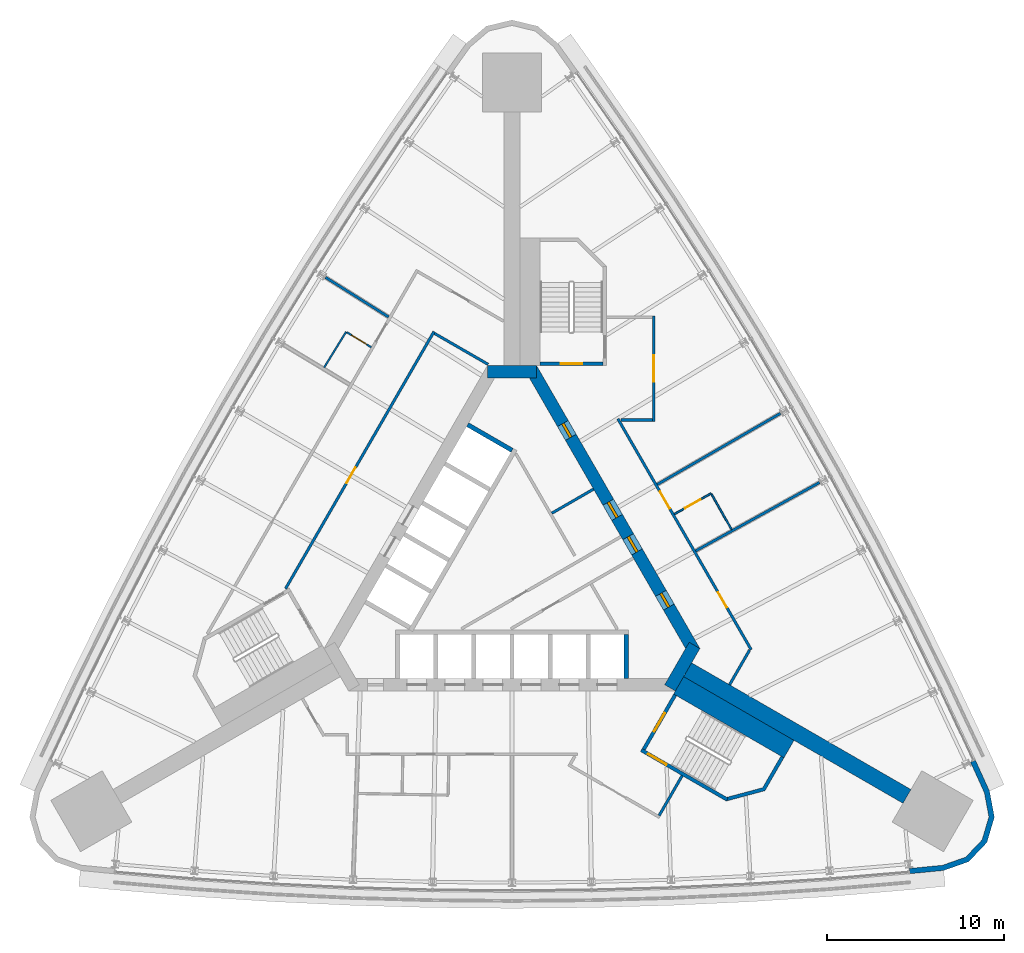
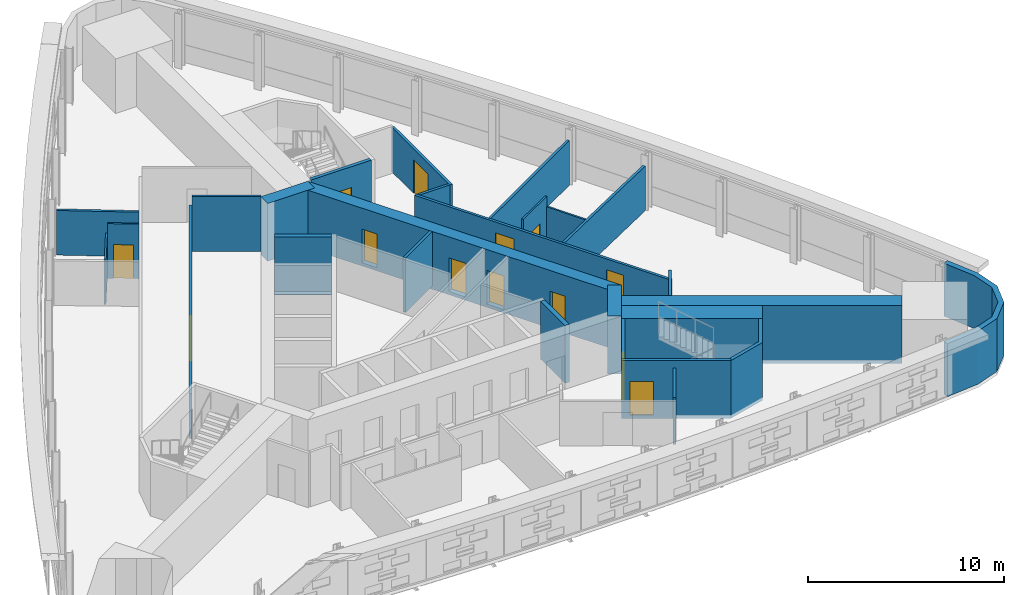
# One storey, part 11 of 14: 27 walls, 13 doors, 13 openings.
"""IFC4 building model written with IfcOpenShell, lengths in metres."""

from ifc_helpers import new_model, si_unit, direction, frame, frame_2d, origin, place, context, subcontext, project, spatial, polyline, rectangle, outline, extrude, material, layer, layer_set, type_object, element, fill, save


model = new_model("IFC4")

# Units and contexts
model_context = context("Model", 3, precision=1e-05, world=origin(), true_north=direction((0.0, 1.0)))
body_context = subcontext(model_context, "Body", "Model", "MODEL_VIEW")
ifc_project = project(units=[si_unit("LENGTHUNIT", "METRE"), si_unit("AREAUNIT", "SQUARE_METRE"), si_unit("VOLUMEUNIT", "CUBIC_METRE"), si_unit("PLANEANGLEUNIT", "RADIAN"), si_unit("MASSUNIT", "GRAM", prefix="KILO")], contexts=[model_context])

# Site, building, storey
site_placement = place(None, origin())
site = spatial("IfcSite", under=ifc_project, at=site_placement, CompositionType="ELEMENT")
building_placement = place(site_placement, origin())
building = spatial("IfcBuilding", under=site, at=building_placement, Name="Noor Cloister Tower", CompositionType="ELEMENT")
storey_placement = place(building_placement, frame((0.0, 0.0, 42.0)))
storey = spatial("IfcBuildingStorey", under=building, at=storey_placement, Name="L10", CompositionType="ELEMENT", Elevation=42.0)

# Walls
ifc_material_1 = material(Name="Concrete C80/95", Category="concrete")
ifc_layer_1 = layer(ifc_material_1, 0.89990234375)
ifc_layer_set_1 = layer_set([ifc_layer_1], Name="Buttress wall 900 C80/95")
wall_type_1 = type_object("IfcWallType", Name="Buttress wall 900 C80/95", PredefinedType="SHEAR", material=ifc_layer_set_1)
wall_1_placement = place(storey_placement, frame((9.921630859375, -5.728271484375, -0.199951171875), z_axis=(0.0, 0.0, 1.0), x_axis=(0.866025331845, -0.500000124603, 0.0)))
element("IfcWall", 1, at=wall_1_placement, inside=storey, type_object=wall_type_1, Name="Buttress wall SE L10", PredefinedType="SHEAR", context=body_context, shape_type="SweptSolid", body=[
    extrude(rectangle(XDim=14.30859375, YDim=0.89990234375, at=frame_2d((7.154296875, 0.0))), origin(), (0.0, 0.0, 1.0), 3.599853515625),
])
ifc_material_2 = material(Name="Concrete C30/37", Category="concrete")
ifc_layer_2 = layer(ifc_material_2, 0.14990234375)
ifc_layer_set_2 = layer_set([ifc_layer_2], Name="Core partition 150 C30/37")
wall_type_2 = type_object("IfcWallType", Name="Core partition 150 C30/37", PredefinedType="PARTITIONING", material=ifc_layer_set_2)
wall_2_placement = place(storey_placement, frame((2.248291015625, 3.1123046875, 0.0), z_axis=(0.0, 0.0, 1.0), x_axis=(0.866012511928, 0.500022328685, 0.0)))
element("IfcWall", 2, at=wall_2_placement, inside=storey, type_object=wall_type_2, Name="Core room partition L10 5", PredefinedType="PARTITIONING", context=body_context, shape_type="SweptSolid", body=[
    extrude(rectangle(XDim=2.72509765625, YDim=0.14990234375, at=frame_2d((1.362548828125, 0.0))), origin(), (0.0, 0.0, 1.0), 3.39990234375),
])
ifc_material_3 = material(Name="Concrete C80/95", Category="concrete")
ifc_layer_3 = layer(ifc_material_3, 0.699951171875)
ifc_layer_set_3 = layer_set([ifc_layer_3], Name="Core wall 700 C80/95")
wall_type_3 = type_object("IfcWallType", Name="Core wall 700 C80/95", PredefinedType="SHEAR", material=ifc_layer_set_3)
wall_3_placement = place(storey_placement, frame((8.925537109375, -6.753173828125, -0.199951171875), z_axis=(0.0, 0.0, 1.0), x_axis=(0.500042739161, 0.866000726912, 0.0)))
element("IfcWall", 3, at=wall_3_placement, inside=storey, type_object=wall_type_3, Name="Core wall L10 2", PredefinedType="SHEAR", context=body_context, shape_type="SweptSolid", body=[
    extrude(rectangle(XDim=2.771240234375, YDim=0.699951171875, at=frame_2d((1.3857421875, 0.0))), origin(), (0.0, 0.0, 1.0), 3.599853515625),
])

# Wall, openings, doors
wall_4_placement = place(storey_placement, frame((10.311279296875, -4.703125, -0.199951171875), z_axis=(0.0, 0.0, 1.0), x_axis=(-0.500001446645, 0.866024568562, 0.0)))
wall_4 = element("IfcWall", 4, at=wall_4_placement, inside=storey, type_object=wall_type_3, Name="Core wall L10 3", PredefinedType="SHEAR", context=body_context, shape_type="SweptSolid", body=[
    extrude(rectangle(XDim=18.45751953125, YDim=0.699951171875, at=frame_2d((9.228759765625, 0.0))), origin(), (0.0, 0.0, 1.0), 3.599853515625),
])
opening_1_placement = place(wall_4_placement, frame((6.5, 0.0, 0.199951171875)))
opening_1 = element("IfcOpeningElement", 5, at=opening_1_placement, cuts=wall_4, Name="Opening L10-901", PredefinedType="OPENING", context=body_context, shape_type="SweptSolid", body=[
    extrude(rectangle(XDim=1.0, YDim=2.10009765625, at=frame_2d((0.5, 1.050048828125))), frame((0.0, 0.35986328125, 0.0), z_axis=(0.0, -1.0, 0.0), x_axis=(1.0, 0.0, 0.0)), (0.0, 0.0, 1.0), 0.719970703125),
])
opening_2_placement = place(wall_4_placement, frame((2.902099609375, 0.0, 0.199951171875)))
opening_2 = element("IfcOpeningElement", 6, at=opening_2_placement, cuts=wall_4, Name="Opening L10-902", PredefinedType="OPENING", context=body_context, shape_type="SweptSolid", body=[
    extrude(rectangle(XDim=0.89990234375, YDim=2.10009765625, at=frame_2d((0.449951171875, 1.050048828125))), frame((0.0, 0.35986328125, 0.0), z_axis=(0.0, -1.0, 0.0), x_axis=(1.0, 0.0, 0.0)), (0.0, 0.0, 1.0), 0.719970703125),
])
opening_3_placement = place(wall_4_placement, frame((8.75, 0.0, 0.199951171875)))
opening_3 = element("IfcOpeningElement", 7, at=opening_3_placement, cuts=wall_4, Name="Opening L10-903", PredefinedType="OPENING", context=body_context, shape_type="SweptSolid", body=[
    extrude(rectangle(XDim=1.0, YDim=2.10009765625, at=frame_2d((0.5, 1.050048828125))), frame((0.0, 0.35986328125, 0.0), z_axis=(0.0, -1.0, 0.0), x_axis=(1.0, 0.0, 0.0)), (0.0, 0.0, 1.0), 0.719970703125),
])
opening_4_placement = place(wall_4_placement, frame((13.976806640625, 0.0, 0.199951171875)))
opening_4 = element("IfcOpeningElement", 8, at=opening_4_placement, cuts=wall_4, Name="Opening L10-904", PredefinedType="OPENING", context=body_context, shape_type="SweptSolid", body=[
    extrude(rectangle(XDim=0.89990234375, YDim=2.10009765625, at=frame_2d((0.449951171875, 1.050048828125))), frame((0.0, 0.35986328125, 0.0), z_axis=(0.0, -1.0, 0.0), x_axis=(1.0, 0.0, 0.0)), (0.0, 0.0, 1.0), 0.719970703125),
])
ifc_material_4 = material(Name="Steel", Category="steel")
door_type_1 = type_object("IfcDoorType", Name="Core door 1000 x 2100 FD120", OperationType="SINGLE_SWING_LEFT", PredefinedType="DOOR", material=ifc_material_4)
door_1_placement = place(opening_1_placement, origin())
door_1 = element("IfcDoor", 9, at=door_1_placement, inside=storey, type_object=door_type_1, Name="Core door 1 L10", OperationType="SINGLE_SWING_LEFT", OverallHeight=2.10009765625, OverallWidth=1.0, PredefinedType="DOOR", context=body_context, shape_type="SweptSolid", body=[
    extrude(rectangle(XDim=1.0, YDim=2.10009765625, at=frame_2d((0.5, 1.050048828125))), frame((0.0, 0.074951171875, 0.0), z_axis=(0.0, -1.0, 0.0), x_axis=(1.0, 0.0, 0.0)), (0.0, 0.0, 1.0), 0.14990234375),
])
fill(opening_1, door_1)
ifc_material_5 = material(Name="Steel", Category="steel")
door_type_2 = type_object("IfcDoorType", Name="Core door 1000 x 2100 FD60", OperationType="SINGLE_SWING_LEFT", PredefinedType="DOOR", material=ifc_material_5)
door_2_placement = place(opening_3_placement, origin())
door_2 = element("IfcDoor", 10, at=door_2_placement, inside=storey, type_object=door_type_2, Name="Core door 3 L10", OperationType="SINGLE_SWING_LEFT", OverallHeight=2.10009765625, OverallWidth=1.0, PredefinedType="DOOR", context=body_context, shape_type="SweptSolid", body=[
    extrude(rectangle(XDim=1.0, YDim=2.10009765625, at=frame_2d((0.5, 1.050048828125))), frame((0.0, 0.074951171875, 0.0), z_axis=(0.0, -1.0, 0.0), x_axis=(1.0, 0.0, 0.0)), (0.0, 0.0, 1.0), 0.14990234375),
])
fill(opening_3, door_2)
ifc_material_6 = material(Name="Steel", Category="steel")
door_type_3 = type_object("IfcDoorType", Name="Core door 900 x 2100 FD60", OperationType="SINGLE_SWING_LEFT", PredefinedType="DOOR", material=ifc_material_6)
door_3_placement = place(opening_2_placement, origin())
door_3 = element("IfcDoor", 11, at=door_3_placement, inside=storey, type_object=door_type_3, Name="Core door 2 L10", OperationType="SINGLE_SWING_RIGHT", OverallHeight=2.10009765625, OverallWidth=0.89990234375, PredefinedType="DOOR", context=body_context, shape_type="SweptSolid", body=[
    extrude(rectangle(XDim=0.89990234375, YDim=2.10009765625, at=frame_2d((0.449951171875, 1.050048828125))), frame((0.0, 0.074951171875, 0.0), z_axis=(0.0, -1.0, 0.0), x_axis=(1.0, 0.0, 0.0)), (0.0, 0.0, 1.0), 0.14990234375),
])
fill(opening_2, door_3)
door_4_placement = place(opening_4_placement, origin())
door_4 = element("IfcDoor", 12, at=door_4_placement, inside=storey, type_object=door_type_3, Name="Core door 4 L10", OperationType="SINGLE_SWING_RIGHT", OverallHeight=2.10009765625, OverallWidth=0.89990234375, PredefinedType="DOOR", context=body_context, shape_type="SweptSolid", body=[
    extrude(rectangle(XDim=0.89990234375, YDim=2.10009765625, at=frame_2d((0.449951171875, 1.050048828125))), frame((0.0, 0.074951171875, 0.0), z_axis=(0.0, -1.0, 0.0), x_axis=(1.0, 0.0, 0.0)), (0.0, 0.0, 1.0), 0.14990234375),
])
fill(opening_4, door_4)

# Wall
wall_5_placement = place(storey_placement, frame((1.3857421875, 11.1064453125, -0.199951171875), z_axis=(0.0, 0.0, 1.0), x_axis=(-1.0, 0.0, 0.0)))
element("IfcWall", 13, at=wall_5_placement, inside=storey, type_object=wall_type_3, Name="Core wall L10 4", PredefinedType="SHEAR", context=body_context, shape_type="SweptSolid", body=[
    extrude(rectangle(XDim=2.771484375, YDim=0.699951171875, at=frame_2d((1.3857421875, 0.0))), origin(), (0.0, 0.0, 1.0), 3.599853515625),
])

# Wall, opening, door
ifc_material_7 = material(Name="Fire-rated gypsum board partition on steel studs, 150 mm", Category="steel")
ifc_layer_4 = layer(ifc_material_7, 0.14990234375)
ifc_layer_set_4 = layer_set([ifc_layer_4], Name="Fire lobby wall 150")
wall_type_4 = type_object("IfcWallType", Name="Fire lobby wall 150", PredefinedType="PARTITIONING", material=ifc_layer_set_4)
wall_6_placement = place(storey_placement, frame((-4.40673828125, 13.373779296875, 0.0), z_axis=(0.0, 0.0, 1.0), x_axis=(-0.499997181693, -0.866027030928, 0.0)))
wall_6 = element("IfcWall", 14, at=wall_6_placement, inside=storey, type_object=wall_type_4, Name="Fire lobby wall 150 L10 002", PredefinedType="PARTITIONING", context=body_context, shape_type="SweptSolid", body=[
    extrude(rectangle(XDim=16.76953125, YDim=0.14990234375, at=frame_2d((8.384765625, 0.0))), origin(), (0.0, 0.0, 1.0), 2.778076171875),
])
opening_5_placement = place(wall_6_placement, frame((8.878662109375, 0.0, 0.0)))
opening_5 = element("IfcOpeningElement", 15, at=opening_5_placement, cuts=wall_6, Name="Opening L10-003", PredefinedType="OPENING", context=body_context, shape_type="SweptSolid", body=[
    extrude(rectangle(XDim=1.0, YDim=2.10009765625, at=frame_2d((0.5, 1.050048828125))), frame((0.0, 0.0849609375, 0.0), z_axis=(0.0, -1.0, 0.0), x_axis=(1.0, 0.0, 0.0)), (0.0, 0.0, 1.0), 0.169921875),
])
ifc_material_8 = material(Name="Timber door leaf with steel frame", Category="steel")
door_type_4 = type_object("IfcDoorType", Name="Fire lobby door 1000", OperationType="NOTDEFINED", PredefinedType="DOOR", material=ifc_material_8)
door_5_placement = place(opening_5_placement, origin())
door_5 = element("IfcDoor", 16, at=door_5_placement, inside=storey, type_object=door_type_4, Name="Fire lobby door 1000 L10-003", OperationType="SINGLE_SWING_RIGHT", OverallHeight=2.10009765625, OverallWidth=1.0, PredefinedType="DOOR", context=body_context, shape_type="SweptSolid", body=[
    extrude(rectangle(XDim=1.0, YDim=2.10009765625, at=frame_2d((0.5, 1.050048828125))), frame((0.0, 0.02490234375, 0.0), z_axis=(0.0, -1.0, 0.0), x_axis=(1.0, 0.0, 0.0)), (0.0, 0.0, 1.0), 0.050048828125),
])
fill(opening_5, door_5)

# Wall
wall_7_placement = place(storey_placement, frame((-4.379150390625, 13.271484375, 0.0), z_axis=(0.0, 0.0, 1.0), x_axis=(0.866019471182, -0.500010275428, 0.0)))
element("IfcWall", 17, at=wall_7_placement, inside=storey, type_object=wall_type_4, Name="Fire lobby wall 150 L10 008", PredefinedType="PARTITIONING", context=body_context, shape_type="SweptSolid", body=[
    extrude(rectangle(XDim=3.5, YDim=0.14990234375, at=frame_2d((1.75, 0.0))), origin(), (0.0, 0.0, 1.0), 3.39990234375),
])

# Wall, openings, doors
ifc_material_9 = material(Name="Gypsum board partition on steel studs, 150 mm", Category="steel")
ifc_layer_5 = layer(ifc_material_9, 0.14990234375)
ifc_layer_set_5 = layer_set([ifc_layer_5], Name="Flat wall 150")
wall_type_5 = type_object("IfcWallType", Name="Flat wall 150", PredefinedType="PARTITIONING", material=ifc_layer_set_5)
wall_8_placement = place(storey_placement, frame((5.9814453125, 8.4462890625, 0.0), z_axis=(0.0, 0.0, 1.0), x_axis=(0.499996620721, -0.866027354803, 0.0)))
wall_8 = element("IfcWall", 18, at=wall_8_placement, inside=storey, type_object=wall_type_5, Name="Flat wall 150 L10 003", PredefinedType="PARTITIONING", context=body_context, shape_type="SweptSolid", body=[
    extrude(rectangle(XDim=15.056640625, YDim=0.14990234375, at=frame_2d((7.5283203125, 0.0))), origin(), (0.0, 0.0, 1.0), 2.778076171875),
])
opening_6_placement = place(wall_8_placement, frame((11.311279296875, 0.0, 0.0)))
opening_6 = element("IfcOpeningElement", 19, at=opening_6_placement, cuts=wall_8, Name="Opening L10-004", PredefinedType="OPENING", context=body_context, shape_type="SweptSolid", body=[
    extrude(rectangle(XDim=1.0, YDim=2.10009765625, at=frame_2d((0.5, 1.050048828125))), frame((0.0, 0.0849609375, 0.0), z_axis=(0.0, -1.0, 0.0), x_axis=(1.0, 0.0, 0.0)), (0.0, 0.0, 1.0), 0.169921875),
])
opening_7_placement = place(wall_8_placement, frame((4.75390625, 0.0, 0.0)))
opening_7 = element("IfcOpeningElement", 20, at=opening_7_placement, cuts=wall_8, Name="Opening L10-005", PredefinedType="OPENING", context=body_context, shape_type="SweptSolid", body=[
    extrude(rectangle(XDim=1.10009765625, YDim=2.10009765625, at=frame_2d((0.550048828125, 1.050048828125))), frame((0.0, 0.0849609375, 0.0), z_axis=(0.0, -1.0, 0.0), x_axis=(1.0, 0.0, 0.0)), (0.0, 0.0, 1.0), 0.169921875),
])
ifc_material_10 = material(Name="Timber door leaf with steel frame", Category="steel")
door_type_5 = type_object("IfcDoorType", Name="Interior door 1000 FD60", OperationType="NOTDEFINED", PredefinedType="DOOR", material=ifc_material_10)
door_6_placement = place(opening_6_placement, origin())
door_6 = element("IfcDoor", 21, at=door_6_placement, inside=storey, type_object=door_type_5, Name="Interior door 1000 L10-004", OperationType="SINGLE_SWING_RIGHT", OverallHeight=2.10009765625, OverallWidth=1.0, PredefinedType="DOOR", context=body_context, shape_type="SweptSolid", body=[
    extrude(rectangle(XDim=1.0, YDim=2.10009765625, at=frame_2d((0.5, 1.050048828125))), frame((0.0, 0.02490234375, 0.0), z_axis=(0.0, -1.0, 0.0), x_axis=(1.0, 0.0, 0.0)), (0.0, 0.0, 1.0), 0.050048828125),
])
fill(opening_6, door_6)
ifc_material_11 = material(Name="Timber door leaf with steel frame", Category="steel")
door_type_6 = type_object("IfcDoorType", Name="Resident room door 1100", OperationType="NOTDEFINED", PredefinedType="DOOR", material=ifc_material_11)
door_7_placement = place(opening_7_placement, origin())
door_7 = element("IfcDoor", 22, at=door_7_placement, inside=storey, type_object=door_type_6, Name="Resident room door 1100 L10-005", OperationType="SINGLE_SWING_LEFT", OverallHeight=2.10009765625, OverallWidth=1.10009765625, PredefinedType="DOOR", context=body_context, shape_type="SweptSolid", body=[
    extrude(rectangle(XDim=1.10009765625, YDim=2.10009765625, at=frame_2d((0.550048828125, 1.050048828125))), frame((0.0, 0.02490234375, 0.0), z_axis=(0.0, -1.0, 0.0), x_axis=(1.0, 0.0, 0.0)), (0.0, 0.0, 1.0), 0.050048828125),
])
fill(opening_7, door_7)

# Wall, opening, door
wall_9_placement = place(storey_placement, frame((8.010498046875, 14.25634765625, 0.0), z_axis=(0.0, 0.0, 1.0), x_axis=(0.0, -1.0, 0.0)))
wall_9 = element("IfcWall", 23, at=wall_9_placement, inside=storey, type_object=wall_type_5, Name="Flat wall 150 L10 005", PredefinedType="PARTITIONING", context=body_context, shape_type="SweptSolid", body=[
    extrude(rectangle(XDim=5.949951171875, YDim=0.14990234375, at=frame_2d((2.97509765625, 0.0))), origin(), (0.0, 0.0, 1.0), 2.778076171875),
])
opening_8_placement = place(wall_9_placement, frame((2.22509765625, 0.0, 0.0)))
opening_8 = element("IfcOpeningElement", 24, at=opening_8_placement, cuts=wall_9, Name="Opening L10-009", PredefinedType="OPENING", context=body_context, shape_type="SweptSolid", body=[
    extrude(rectangle(XDim=1.5, YDim=2.10009765625, at=frame_2d((0.75, 1.050048828125))), frame((0.0, 0.0849609375, 0.0), z_axis=(0.0, -1.0, 0.0), x_axis=(1.0, 0.0, 0.0)), (0.0, 0.0, 1.0), 0.169921875),
])
ifc_material_12 = material(Name="Timber door leaf with steel frame", Category="steel")
door_type_7 = type_object("IfcDoorType", Name="Double door 1500 FD60", OperationType="NOTDEFINED", PredefinedType="DOOR", material=ifc_material_12)
door_8_placement = place(opening_8_placement, origin())
door_8 = element("IfcDoor", 25, at=door_8_placement, inside=storey, type_object=door_type_7, Name="Double door 1500 L10-009", OperationType="DOUBLE_DOOR_SINGLE_SWING", OverallHeight=2.10009765625, OverallWidth=1.5, PredefinedType="DOOR", context=body_context, shape_type="SweptSolid", body=[
    extrude(rectangle(XDim=1.5, YDim=2.10009765625, at=frame_2d((0.75, 1.050048828125))), frame((0.0, 0.02490234375, 0.0), z_axis=(0.0, -1.0, 0.0), x_axis=(1.0, 0.0, 0.0)), (0.0, 0.0, 1.0), 0.050048828125),
])
fill(opening_8, door_8)

# Walls
wall_10_placement = place(storey_placement, frame((8.313720703125, -13.963134765625, 0.0), z_axis=(0.0, 0.0, 1.0), x_axis=(0.499936506574, 0.866062058628, 0.0)))
element("IfcWall", 26, at=wall_10_placement, inside=storey, type_object=wall_type_5, Name="Flat wall 150 L10 010", PredefinedType="PARTITIONING", context=body_context, shape_type="SweptSolid", body=[
    extrude(rectangle(XDim=2.599853515625, YDim=0.14990234375, at=frame_2d((1.2998046875, 0.0))), origin(), (0.0, 0.0, 1.0), 2.923095703125),
])
wall_11_placement = place(storey_placement, frame((12.2900390625, -6.575927734375, 0.0), z_axis=(0.0, 0.0, 1.0), x_axis=(0.499946688677, 0.866056180903, 0.0)))
element("IfcWall", 27, at=wall_11_placement, inside=storey, type_object=wall_type_5, Name="Flat wall 150 L10 012", PredefinedType="PARTITIONING", context=body_context, shape_type="SweptSolid", body=[
    extrude(rectangle(XDim=2.261962890625, YDim=0.14990234375, at=frame_2d((1.130859375, 0.0))), origin(), (0.0, 0.0, 1.0), 3.39990234375),
])
wall_12_placement = place(storey_placement, frame((6.148681640625, 8.38134765625, 0.0), z_axis=(0.0, 0.0, 1.0), x_axis=(1.0, 0.0, 0.0)))
element("IfcWall", 28, at=wall_12_placement, inside=storey, type_object=wall_type_5, Name="Flat wall 150 L10 013", PredefinedType="PARTITIONING", context=body_context, shape_type="SweptSolid", body=[
    extrude(rectangle(XDim=1.786865234375, YDim=0.14990234375, at=frame_2d((0.8935546875, 0.0))), origin(), (0.0, 0.0, 1.0), 2.778076171875),
])
wall_13_placement = place(storey_placement, frame((15.161376953125, 8.75341796875, 0.0), z_axis=(0.0, 0.0, 1.0), x_axis=(-0.86601695431, -0.500014634633, 0.0)))
element("IfcWall", 29, at=wall_13_placement, inside=storey, type_object=wall_type_5, Name="Flat wall 150 L10 017", PredefinedType="PARTITIONING", context=body_context, shape_type="SweptSolid", body=[
    extrude(rectangle(XDim=8.028564453125, YDim=0.14990234375, at=frame_2d((4.01416015625, 0.0))), origin(), (0.0, 0.0, 1.0), 2.778076171875),
])
wall_14_placement = place(storey_placement, frame((17.3671875, 4.848388671875, 0.0), z_axis=(0.0, 0.0, 1.0), x_axis=(-0.875233702412, -0.483700285469, 0.0)))
element("IfcWall", 30, at=wall_14_placement, inside=storey, type_object=wall_type_5, Name="Flat wall 150 L10 018", PredefinedType="PARTITIONING", context=body_context, shape_type="SweptSolid", body=[
    extrude(rectangle(XDim=7.986328125, YDim=0.14990234375, at=frame_2d((3.9931640625, 0.0))), origin(), (0.0, 0.0, 1.0), 2.778076171875),
])
wall_15_placement = place(storey_placement, frame((-10.531982421875, 16.435791015625, 0.0), z_axis=(0.0, 0.0, 1.0), x_axis=(0.846689538327, -0.532087235036, 0.0)))
element("IfcWall", 31, at=wall_15_placement, inside=storey, type_object=wall_type_5, Name="Flat wall 150 L10 022", PredefinedType="PARTITIONING", context=body_context, shape_type="SweptSolid", body=[
    extrude(rectangle(XDim=4.210693359375, YDim=0.14990234375, at=frame_2d((2.10546875, 0.0))), origin(), (0.0, 0.0, 1.0), 2.778076171875),
])
ifc_material_13 = material(Name="Limestone", Category="masonry")
ifc_layer_6 = layer(ifc_material_13, 0.300048828125)
ifc_layer_set_6 = layer_set([ifc_layer_6], Name="Limestone cladding 300")
wall_type_6 = type_object("IfcWallType", Name="Limestone cladding 300", PredefinedType="NOTDEFINED", material=ifc_layer_set_6)
wall_16_placement = place(storey_placement, origin())
element("IfcWall", 32, at=wall_16_placement, inside=storey, type_object=wall_type_6, Name="Limestone pier cladding L10 2.1", PredefinedType="NOTDEFINED", context=body_context, shape_type="SweptSolid", body=[
    extrude(outline(polyline([(22.467041015625, -17.254150390625), (24.386474609375, -17.066162109375), (25.7958984375, -16.570556640625), (26.825439453125, -15.487548828125), (27.24853515625, -14.0546875), (26.972900390625, -12.586181640625), (26.176025390625, -10.830078125), (25.90283203125, -10.9541015625), (26.684814453125, -12.67724609375), (26.9404296875, -14.0390625), (26.55810546875, -15.333251953125), (25.62841796875, -16.3115234375), (24.321044921875, -16.77099609375), (22.43798828125, -16.95556640625), (22.467041015625, -17.254150390625)])), origin(), (0.0, 0.0, 1.0), 3.300048828125),
])

# Wall, opening, door
ifc_material_14 = material(Name="Gypsum board partition on steel studs, 100 mm", Category="steel")
ifc_layer_7 = layer(ifc_material_14, 0.10009765625)
ifc_layer_set_7 = layer_set([ifc_layer_7], Name="Partition 100")
wall_type_7 = type_object("IfcWallType", Name="Partition 100", PredefinedType="PARTITIONING", material=ifc_layer_set_7)
wall_17_placement = place(storey_placement, frame((11.250244140625, 4.2353515625, 0.0), z_axis=(0.0, 0.0, 1.0), x_axis=(-0.870673532045, -0.491861363188, 0.0)))
wall_17 = element("IfcWall", 33, at=wall_17_placement, inside=storey, type_object=wall_type_7, Name="Partition 100 L10 024", PredefinedType="PARTITIONING", context=body_context, shape_type="SweptSolid", body=[
    extrude(rectangle(XDim=2.382080078125, YDim=0.10009765625, at=frame_2d((1.19091796875, 0.0))), origin(), (0.0, 0.0, 1.0), 3.39990234375),
])
opening_9_placement = place(wall_17_placement, frame((0.699951171875, 0.0, 0.0)))
opening_9 = element("IfcOpeningElement", 34, at=opening_9_placement, cuts=wall_17, Name="Opening L10-013", PredefinedType="OPENING", context=body_context, shape_type="SweptSolid", body=[
    extrude(rectangle(XDim=1.0, YDim=2.10009765625, at=frame_2d((0.5, 1.050048828125))), frame((0.0, 0.06005859375, 0.0), z_axis=(0.0, -1.0, 0.0), x_axis=(1.0, 0.0, 0.0)), (0.0, 0.0, 1.0), 0.1201171875),
])
ifc_material_15 = material(Name="Timber door leaf with steel frame", Category="steel")
door_type_8 = type_object("IfcDoorType", Name="Interior door 1000", OperationType="NOTDEFINED", PredefinedType="DOOR", material=ifc_material_15)
door_9_placement = place(opening_9_placement, origin())
door_9 = element("IfcDoor", 35, at=door_9_placement, inside=storey, type_object=door_type_8, Name="Interior door 1000 L10-013", OperationType="SINGLE_SWING_RIGHT", OverallHeight=2.10009765625, OverallWidth=1.0, PredefinedType="DOOR", context=body_context, shape_type="SweptSolid", body=[
    extrude(rectangle(XDim=1.0, YDim=2.10009765625, at=frame_2d((0.5, 1.050048828125))), frame((0.0, 0.02490234375, 0.0), z_axis=(0.0, -1.0, 0.0), x_axis=(1.0, 0.0, 0.0)), (0.0, 0.0, 1.0), 0.050048828125),
])
fill(opening_9, door_9)

# Walls
wall_18_placement = place(storey_placement, frame((-10.615966796875, 11.338623046875, 0.0), z_axis=(0.0, 0.0, 1.0), x_axis=(0.524137571403, 0.85163361033, 0.0)))
element("IfcWall", 36, at=wall_18_placement, inside=storey, type_object=wall_type_7, Name="Partition 100 L10 025", PredefinedType="PARTITIONING", context=body_context, shape_type="SweptSolid", body=[
    extrude(rectangle(XDim=2.375, YDim=0.10009765625, at=frame_2d((1.1875, 0.0))), origin(), (0.0, 0.0, 1.0), 2.778076171875),
])
wall_19_placement = place(storey_placement, frame((12.404541015625, 2.192138671875, 0.0), z_axis=(0.0, 0.0, 1.0), x_axis=(-0.491840077016, 0.870685556697, 0.0)))
element("IfcWall", 37, at=wall_19_placement, inside=storey, type_object=wall_type_7, Name="Partition 100 L10 026", PredefinedType="PARTITIONING", context=body_context, shape_type="SweptSolid", body=[
    extrude(rectangle(XDim=2.296875, YDim=0.10009765625, at=frame_2d((1.1484375, 0.0))), origin(), (0.0, 0.0, 1.0), 2.778076171875),
])

# Wall, opening, door
wall_20_placement = place(storey_placement, frame((-7.951171875, 12.487548828125, 0.0), z_axis=(0.0, 0.0, 1.0), x_axis=(-0.851658316705, 0.524097425664, 0.0)))
wall_20 = element("IfcWall", 38, at=wall_20_placement, inside=storey, type_object=wall_type_7, Name="Partition 100 L10 029", PredefinedType="PARTITIONING", context=body_context, shape_type="SweptSolid", body=[
    extrude(rectangle(XDim=1.617431640625, YDim=0.10009765625, at=frame_2d((0.80859375, 0.0))), origin(), (0.0, 0.0, 1.0), 3.39990234375),
])
opening_10_placement = place(wall_20_placement, frame((0.2998046875, 0.0, 0.0)))
opening_10 = element("IfcOpeningElement", 39, at=opening_10_placement, cuts=wall_20, Name="Opening L10-014", PredefinedType="OPENING", context=body_context, shape_type="SweptSolid", body=[
    extrude(rectangle(XDim=1.0, YDim=2.10009765625, at=frame_2d((0.5, 1.050048828125))), frame((0.0, 0.06005859375, 0.0), z_axis=(0.0, -1.0, 0.0), x_axis=(1.0, 0.0, 0.0)), (0.0, 0.0, 1.0), 0.1201171875),
])
door_10_placement = place(opening_10_placement, origin())
door_10 = element("IfcDoor", 40, at=door_10_placement, inside=storey, type_object=door_type_8, Name="Interior door 1000 L10-014", OperationType="SINGLE_SWING_LEFT", OverallHeight=2.10009765625, OverallWidth=1.0, PredefinedType="DOOR", context=body_context, shape_type="SweptSolid", body=[
    extrude(rectangle(XDim=1.0, YDim=2.10009765625, at=frame_2d((0.5, 1.050048828125))), frame((0.0, 0.02490234375, 0.0), z_axis=(0.0, -1.0, 0.0), x_axis=(1.0, 0.0, 0.0)), (0.0, 0.0, 1.0), 0.050048828125),
])
fill(opening_10, door_10)

# Walls
ifc_material_16 = material(Name="Concrete C80/95", Category="concrete")
ifc_layer_8 = layer(ifc_material_16, 0.25)
ifc_layer_set_8 = layer_set([ifc_layer_8], Name="Shaft wall 250 C80/95")
wall_type_8 = type_object("IfcWallType", Name="Shaft wall 250 C80/95", PredefinedType="PARTITIONING", material=ifc_layer_set_8)
wall_21_placement = place(storey_placement, frame((6.449951171875, -6.228271484375, -0.199951171875), z_axis=(0.0, 0.0, 1.0), x_axis=(0.0, 1.0, 0.0)))
element("IfcWall", 41, at=wall_21_placement, inside=storey, type_object=wall_type_8, Name="Lift shaft wall L10 S 7", PredefinedType="PARTITIONING", context=body_context, shape_type="SweptSolid", body=[
    extrude(rectangle(XDim=2.5, YDim=0.25, at=frame_2d((1.25, 0.0))), origin(), (0.0, 0.0, 1.0), 3.599853515625),
])
wall_22_placement = place(storey_placement, frame((-2.50634765625, 8.115478515625, -0.199951171875), z_axis=(0.0, 0.0, 1.0), x_axis=(0.865996321171, -0.50005036918, 0.0)))
element("IfcWall", 42, at=wall_22_placement, inside=storey, type_object=wall_type_8, Name="Lift shaft wall L10 NW 1", PredefinedType="PARTITIONING", context=body_context, shape_type="SweptSolid", body=[
    extrude(rectangle(XDim=2.900146484375, YDim=0.25, at=frame_2d((1.4501953125, 0.0))), origin(), (0.0, 0.0, 1.0), 3.599853515625),
])
ifc_material_17 = material(Name="Concrete C80/95", Category="concrete")
ifc_layer_9 = layer(ifc_material_17, 1.135986328125)
ifc_layer_set_9 = layer_set([ifc_layer_9], Name="Stair enclosure wall 1136 C80/95")
wall_type_9 = type_object("IfcWallType", Name="Stair enclosure wall 1136 C80/95", PredefinedType="SHEAR", material=ifc_layer_set_9)
wall_23_placement = place(storey_placement, frame((9.41259765625, -6.609619140625, -0.199951171875), z_axis=(0.0, 0.0, 1.0), x_axis=(0.866018442252, -0.500012057535, 0.0)))
element("IfcWall", 43, at=wall_23_placement, inside=storey, type_object=wall_type_9, Name="Stair enclosure wall ST3 L10 riser side", PredefinedType="SHEAR", context=body_context, shape_type="SweptSolid", body=[
    extrude(rectangle(XDim=7.199951171875, YDim=1.1357421875, at=frame_2d((3.60009765625, 0.0))), origin(), (0.0, 0.0, 1.0), 3.599853515625),
])

# Wall, opening, door
ifc_material_18 = material(Name="Concrete C80/95", Category="concrete")
ifc_layer_10 = layer(ifc_material_18, 0.199951171875)
ifc_layer_set_10 = layer_set([ifc_layer_10], Name="Stair enclosure wall 200 C80/95")
wall_type_10 = type_object("IfcWallType", Name="Stair enclosure wall 200 C80/95", PredefinedType="SHEAR", material=ifc_layer_set_10)
wall_24_placement = place(storey_placement, frame((5.135498046875, 11.556396484375, -0.199951171875), z_axis=(0.0, 0.0, 1.0), x_axis=(-1.0, 0.0, 0.0)))
wall_24 = element("IfcWall", 44, at=wall_24_placement, inside=storey, type_object=wall_type_10, Name="Stair enclosure wall ST1 L10 near end", PredefinedType="SHEAR", context=body_context, shape_type="SweptSolid", body=[
    extrude(rectangle(XDim=3.5498046875, YDim=0.199951171875, at=frame_2d((1.77490234375, 0.0))), origin(), (0.0, 0.0, 1.0), 3.599853515625),
])
opening_11_placement = place(wall_24_placement, frame((1.175048828125, 0.0, 0.199951171875)))
opening_11 = element("IfcOpeningElement", 45, at=opening_11_placement, cuts=wall_24, Name="Opening L10-ST1L", PredefinedType="OPENING", context=body_context, shape_type="SweptSolid", body=[
    extrude(rectangle(XDim=1.199951171875, YDim=2.10009765625, at=frame_2d((0.60009765625, 1.050048828125))), frame((0.0, 0.10986328125, 0.0), z_axis=(0.0, -1.0, 0.0), x_axis=(1.0, 0.0, 0.0)), (0.0, 0.0, 1.0), 0.219970703125),
])
ifc_material_19 = material(Name="Steel", Category="steel")
door_type_9 = type_object("IfcDoorType", Name="Stair door 1200 x 2100 FD120", OperationType="SINGLE_SWING_LEFT", PredefinedType="DOOR", material=ifc_material_19)
door_11_placement = place(opening_11_placement, origin())
door_11 = element("IfcDoor", 46, at=door_11_placement, inside=storey, type_object=door_type_9, Name="Stair door ST1 L10", OperationType="SINGLE_SWING_RIGHT", OverallHeight=2.10009765625, OverallWidth=1.199951171875, PredefinedType="DOOR", context=body_context, shape_type="SweptSolid", body=[
    extrude(rectangle(XDim=1.199951171875, YDim=2.10009765625, at=frame_2d((0.60009765625, 1.050048828125))), frame((0.0, 0.02490234375, 0.0), z_axis=(0.0, -1.0, 0.0), x_axis=(1.0, 0.0, 0.0)), (0.0, 0.0, 1.0), 0.050048828125),
])
fill(opening_11, door_11)

wall_25_placement = place(storey_placement, frame((7.440185546875, -10.225830078125, -0.199951171875), z_axis=(0.0, 0.0, 1.0), x_axis=(0.500022077904, 0.866012656725, 0.0)))
wall_25 = element("IfcWall", 47, at=wall_25_placement, inside=storey, type_object=wall_type_10, Name="Stair enclosure wall ST3 L10 near end", PredefinedType="SHEAR", context=body_context, shape_type="SweptSolid", body=[
    extrude(rectangle(XDim=3.550048828125, YDim=0.199951171875, at=frame_2d((1.77490234375, 0.0))), origin(), (0.0, 0.0, 1.0), 3.599853515625),
])
opening_12_placement = place(wall_25_placement, frame((1.175048828125, 0.0, 0.199951171875)))
opening_12 = element("IfcOpeningElement", 48, at=opening_12_placement, cuts=wall_25, Name="Opening L10-ST3L", PredefinedType="OPENING", context=body_context, shape_type="SweptSolid", body=[
    extrude(rectangle(XDim=1.199951171875, YDim=2.10009765625, at=frame_2d((0.60009765625, 1.050048828125))), frame((0.0, 0.10986328125, 0.0), z_axis=(0.0, -1.0, 0.0), x_axis=(1.0, 0.0, 0.0)), (0.0, 0.0, 1.0), 0.219970703125),
])
door_12_placement = place(opening_12_placement, origin())
door_12 = element("IfcDoor", 49, at=door_12_placement, inside=storey, type_object=door_type_9, Name="Stair door ST3 L10", OperationType="SINGLE_SWING_RIGHT", OverallHeight=2.10009765625, OverallWidth=1.199951171875, PredefinedType="DOOR", context=body_context, shape_type="SweptSolid", body=[
    extrude(rectangle(XDim=1.199951171875, YDim=2.10009765625, at=frame_2d((0.60009765625, 1.050048828125))), frame((0.0, 0.02490234375, 0.0), z_axis=(0.0, -1.0, 0.0), x_axis=(1.0, 0.0, 0.0)), (0.0, 0.0, 1.0), 0.050048828125),
])
fill(opening_12, door_12)

wall_26_placement = place(storey_placement, frame((7.3037109375, -10.262451171875, -0.199951171875), z_axis=(0.0, 0.0, 1.0), x_axis=(0.866026594901, -0.49999793692, 0.0)))
wall_26 = element("IfcWall", 50, at=wall_26_placement, inside=storey, type_object=wall_type_10, Name="Stair enclosure wall ST3 L10 outer side", PredefinedType="SHEAR", context=body_context, shape_type="SweptSolid", body=[
    extrude(rectangle(XDim=5.60009765625, YDim=0.199951171875, at=frame_2d((2.800048828125, 0.0))), origin(), (0.0, 0.0, 1.0), 3.599853515625),
])
opening_13_placement = place(wall_26_placement, frame((0.449951171875, 0.0, 0.199951171875)))
opening_13 = element("IfcOpeningElement", 51, at=opening_13_placement, cuts=wall_26, Name="Opening L10-ST3C", PredefinedType="OPENING", context=body_context, shape_type="SweptSolid", body=[
    extrude(rectangle(XDim=1.199951171875, YDim=2.10009765625, at=frame_2d((0.60009765625, 1.050048828125))), frame((0.0, 0.10986328125, 0.0), z_axis=(0.0, -1.0, 0.0), x_axis=(1.0, 0.0, 0.0)), (0.0, 0.0, 1.0), 0.219970703125),
])
door_13_placement = place(opening_13_placement, origin())
door_13 = element("IfcDoor", 52, at=door_13_placement, inside=storey, type_object=door_type_9, Name="Stair door ST3 L10", OperationType="SINGLE_SWING_LEFT", OverallHeight=2.10009765625, OverallWidth=1.199951171875, PredefinedType="DOOR", context=body_context, shape_type="SweptSolid", body=[
    extrude(rectangle(XDim=1.199951171875, YDim=2.10009765625, at=frame_2d((0.60009765625, 1.050048828125))), frame((0.0, 0.02490234375, 0.0), z_axis=(0.0, -1.0, 0.0), x_axis=(1.0, 0.0, 0.0)), (0.0, 0.0, 1.0), 0.050048828125),
])
fill(opening_13, door_13)

# Wall
ifc_material_20 = material(Name="Concrete C80/95", Category="concrete")
wall_type_11 = type_object("IfcWallType", Name="Stair far end wall C80/95", PredefinedType="SHEAR", material=ifc_material_20)
wall_27_placement = place(storey_placement, frame((0.0, 0.0, -0.199951171875)))
element("IfcWall", 53, at=wall_27_placement, inside=storey, type_object=wall_type_11, Name="Stair enclosure wall ST3 L10 far end", PredefinedType="SHEAR", context=body_context, shape_type="SweptSolid", body=[
    extrude(outline(polyline([(12.103515625, -13.14892578125), (14.2890625, -12.5634765625), (15.364013671875, -10.701416015625), (15.19091796875, -10.601318359375), (14.1572265625, -12.3916015625), (12.131591796875, -12.934326171875), (12.20361328125, -12.975830078125), (12.20361328125, -12.975830078125), (12.20361328125, -12.975830078125), (12.20361328125, -12.975830078125), (12.20361328125, -12.975830078125), (12.20361328125, -12.975830078125), (12.20361328125, -12.975830078125), (12.20361328125, -12.975830078125), (12.20361328125, -12.975830078125), (12.20361328125, -12.975830078125), (12.20361328125, -12.975830078125), (12.20361328125, -12.975830078125), (12.20361328125, -12.975830078125), (12.20361328125, -12.975830078125), (12.20361328125, -12.975830078125), (12.20361328125, -12.975830078125), (12.20361328125, -12.975830078125), (12.103515625, -13.14892578125)])), origin(), (0.0, 0.0, 1.0), 3.599853515625),
])

save(model, "model.ifc")
